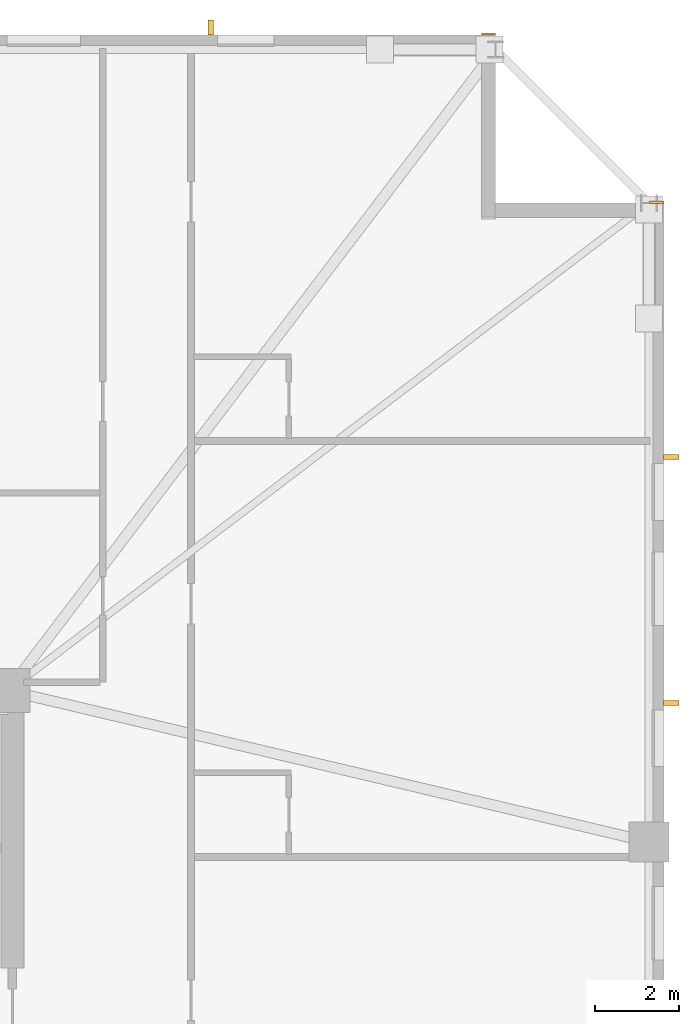
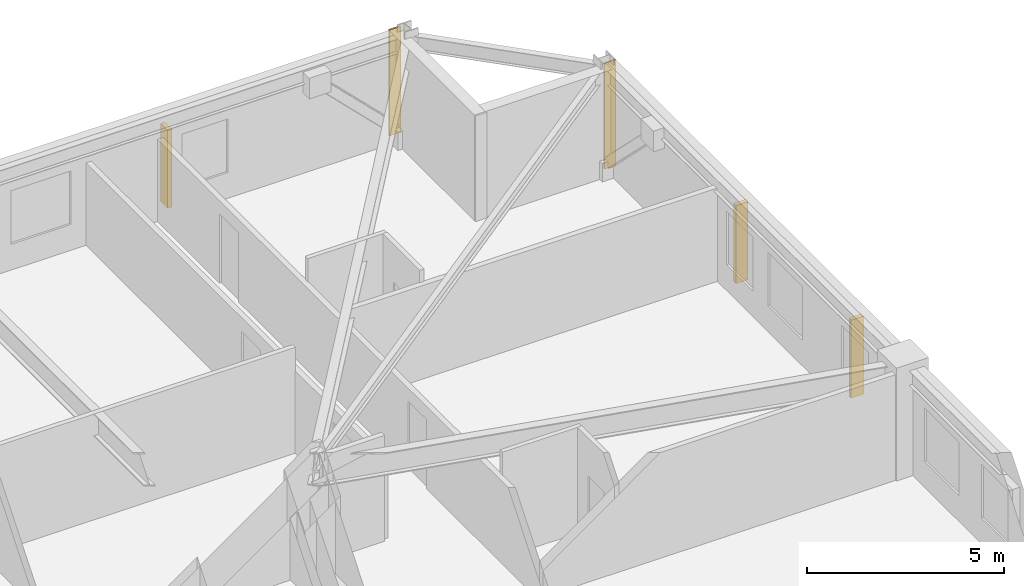
# One storey, part 11 of 11: 3 shading devices, 2 coverings.
"""IFC4 building model written with IfcOpenShell, lengths in metres."""

from ifc_helpers import new_model, si_unit, direction, frame, frame_2d, origin, origin_2d, place, context, subcontext, project, spatial, rectangle, extrude, material, layer, layer_set, type_object, element, save


model = new_model("IFC4")

# Units and contexts
model_context = context("Model", 3, precision=1e-05, world=origin(), true_north=direction((0.0, 1.0)))
body_context = subcontext(model_context, "Body", "Model", "MODEL_VIEW")
ifc_project = project(units=[si_unit("LENGTHUNIT", "METRE"), si_unit("AREAUNIT", "SQUARE_METRE"), si_unit("VOLUMEUNIT", "CUBIC_METRE"), si_unit("PLANEANGLEUNIT", "RADIAN"), si_unit("MASSUNIT", "GRAM", prefix="KILO")], contexts=[model_context])

# Site, building, storey
site_placement = place(None, origin())
site = spatial("IfcSite", under=ifc_project, at=site_placement, CompositionType="ELEMENT")
building_placement = place(site_placement, origin())
building = spatial("IfcBuilding", under=site, at=building_placement, Name="Cairnveth Concourse Tower", CompositionType="ELEMENT")
storey_placement = place(building_placement, frame((0.0, 0.0, 162.0)))
storey = spatial("IfcBuildingStorey", under=building, at=storey_placement, Name="L44", CompositionType="ELEMENT", Elevation=162.0)

# Coverings
ifc_material_1 = material(Name="Dressed Melbourne Bluestone Cladding", Category="masonry")
ifc_layer = layer(ifc_material_1, 0.050048828125)
ifc_layer_set = layer_set([ifc_layer], Name="Dressed Melbourne Bluestone Cladding")
covering_type = type_object("IfcCoveringType", Name="DRESSED BLUESTONE PLINTH CLADDING 50", PredefinedType="CLADDING", material=ifc_layer_set)
for number, where, z_axis, x_axis, name in (
    (1, (71.659912109375, 63.02001953125, 0.0), (0.0, 0.0, 1.0), (1.0, 0.0, 0.0), "Melbourne Bluestone Corner Quoin L44-650"),
    (2, (75.659912109375, 59.02001953125, 0.0), (0.0, 0.0, 1.0), (1.0, 0.0, 0.0), "Melbourne Bluestone Corner Quoin L44-652"),
):
    element("IfcCovering", number, at=place(storey_placement, frame(where, z_axis=z_axis, x_axis=x_axis)), inside=storey, type_object=covering_type, Name=name, PredefinedType="CLADDING", context=body_context, shape_type="SweptSolid", body=[
        extrude(rectangle(XDim=0.340087890625, YDim=0.050048828125, at=frame_2d((0.169921875, 0.0))), origin(), (0.0, 0.0, 1.0), 3.280029296875),
    ])

# Shading devices
ifc_material_2 = material(Name="Architectural Bronze Anodised Aluminium 6063-T6", Category="aluminium")
shading_device_type = type_object("IfcShadingDeviceType", Name="GOTHIC BRONZE VERTICAL LANCET FIN", PredefinedType="USERDEFINED", material=ifc_material_2)
for number, where, z_axis, x_axis, name in (
    (3, (65.22021484375, 63.175048828125, 0.030029296875), (0.0, 0.0, 1.0), (1.0, 0.0, 0.0), "Gothic Bronze Vertical Fin L44-6-9"),
    (4, (76.175048828125, 52.958251953125, 0.030029296875), (0.0, 0.0, 1.0), (0.0, 1.0, 0.0), "Gothic Bronze Vertical Fin L44-9-1"),
    (5, (76.175048828125, 47.10107421875, 0.030029296875), (0.0, 0.0, 1.0), (0.0, 1.0, 0.0), "Gothic Bronze Vertical Fin L44-9-3"),
):
    element("IfcShadingDevice", number, at=place(storey_placement, frame(where, z_axis=z_axis, x_axis=x_axis)), inside=storey, type_object=shading_device_type, Name=name, ObjectType="VERTICAL FIN", PredefinedType="USERDEFINED", context=body_context, shape_type="SweptSolid", body=[
        extrude(rectangle(XDim=0.1201171875, YDim=0.360107421875, at=origin_2d()), origin(), (0.0, 0.0, 1.0), 2.419921875),
    ])

save(model, "model.ifc")
